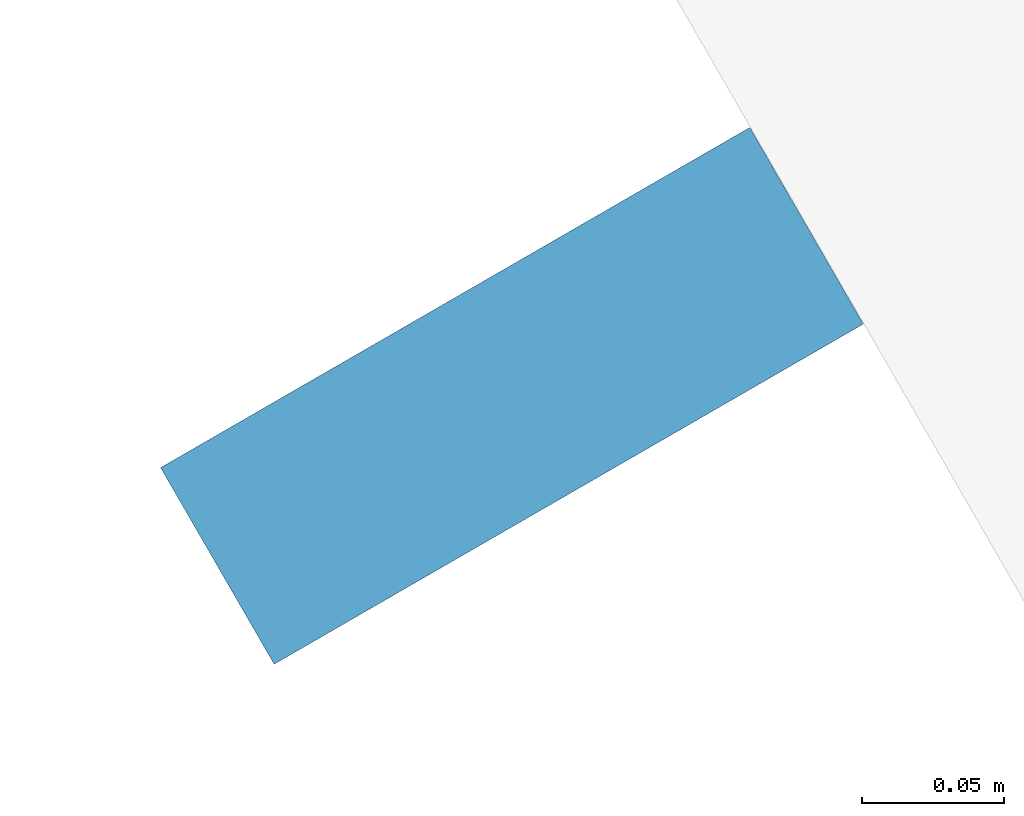
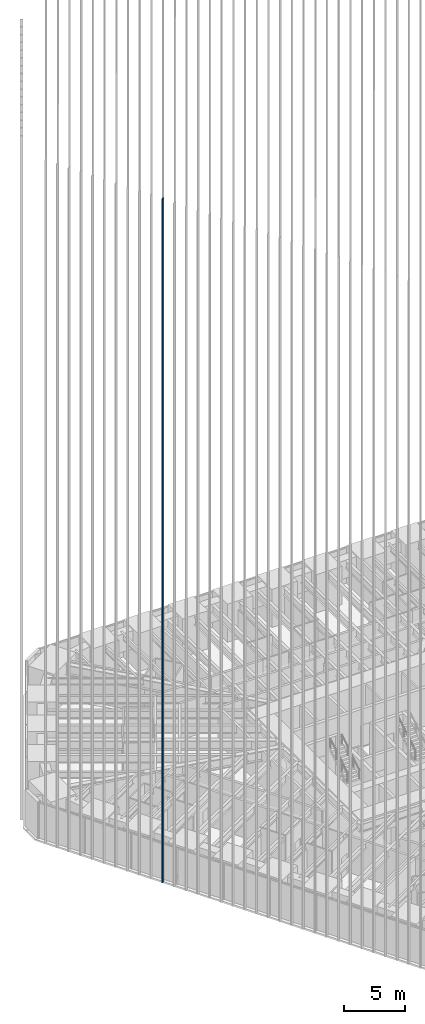
# One storey, part 55 of 256: 1 member, 1 element without a shape of its own.
"""IFC4 building model written with IfcOpenShell, lengths in metres."""

import ifcopenshell
import ifcopenshell.guid

model = None  # the IFC model being written
_history = None  # IfcOwnerHistory: only IFC2X3 demands one
_inside = {}  # id of a spatial element -> (the spatial element, [elements in it])
_under = {}  # id of a project, library or spatial element -> (it, [spatial elements below it])
_declared = {}  # id of a project -> (the project, [libraries it declares])
_typed = {}  # id of a type object -> (the type object, [elements of that type])
_made_of = {}  # id of a material, layer set ... -> (it, [elements and type objects made of it])


def new_model(schema):
    """Start an empty IFC model of exactly this schema.

    Asked for "IFC4X3", IfcOpenShell would pick the latest addendum, in which some entities
    have other attributes; the version numbers below select the first issue.
    IFC2X3 requires an IfcOwnerHistory on every rooted entity: one is made here for all.
    """
    global model, _history
    if schema == "IFC4X3":
        model = ifcopenshell.file(schema_version=(4, 3, 0, 0))
    else:
        model = ifcopenshell.file(schema=schema)
    _inside.clear()
    _under.clear()
    _declared.clear()
    _typed.clear()
    _made_of.clear()
    _history = None
    if model.schema == "IFC2X3":
        org = make("IfcOrganization", Name="unknown")
        user = make(
            "IfcPersonAndOrganization",
            ThePerson=make("IfcPerson", FamilyName="unknown"),
            TheOrganization=org,
        )
        app = make(
            "IfcApplication",
            ApplicationDeveloper=org,
            Version="unknown",
            ApplicationFullName="unknown",
            ApplicationIdentifier="unknown",
        )
        _history = make(
            "IfcOwnerHistory",
            OwningUser=user,
            OwningApplication=app,
            ChangeAction="ADDED",
            CreationDate=0,
        )
    return model


def make(cls, **values):
    """One entity of the class cls with the attributes given. An attribute that is None is left unset."""
    return model.create_entity(
        cls, **{name: value for name, value in values.items() if value is not None}
    )


def rooted(cls, **values):
    """An entity with a GlobalId (a new one), such as an element, a storey or a relation."""
    return make(cls, GlobalId=ifcopenshell.guid.new(), OwnerHistory=_history, **values)


def si_unit(unit_type, name, prefix=None):
    """IfcSIUnit, for example si_unit("LENGTHUNIT", "METRE", prefix="MILLI")."""
    return make("IfcSIUnit", UnitType=unit_type, Prefix=prefix, Name=name)


def assignment(units):
    """IfcUnitAssignment: the units of a project."""
    return None if units is None else make("IfcUnitAssignment", Units=units)


def point(xyz):
    """IfcCartesianPoint."""
    return None if xyz is None else make("IfcCartesianPoint", Coordinates=xyz)


def direction(xyz):
    """IfcDirection."""
    return None if xyz is None else make("IfcDirection", DirectionRatios=xyz)


def frame(location, z_axis=None, x_axis=None):
    """IfcAxis2Placement3D, a coordinate frame: its origin and axes. An axis left out is left unset."""
    return make(
        "IfcAxis2Placement3D",
        Location=point(location),
        Axis=direction(z_axis),
        RefDirection=direction(x_axis),
    )


def frame_2d(location, x_axis=None):
    """IfcAxis2Placement2D, a coordinate frame in the plane: its origin and x axis."""
    return make(
        "IfcAxis2Placement2D", Location=point(location), RefDirection=direction(x_axis)
    )


def origin():
    """The frame at (0, 0, 0) with its axes left unset."""
    return frame((0.0, 0.0, 0.0))


def origin_2d():
    """The frame at (0, 0) in the plane with its x axis left unset."""
    return frame_2d((0.0, 0.0))


def place(relative_to, where):
    """IfcLocalPlacement: puts the frame where relative to a parent placement (None: the world)."""
    return make(
        "IfcLocalPlacement", PlacementRelTo=relative_to, RelativePlacement=where
    )


def context(
    kind, dimensions, precision=None, world=None, true_north=None, identifier=None
):
    """IfcGeometricRepresentationContext, for example the 3D "Model" context."""
    return make(
        "IfcGeometricRepresentationContext",
        ContextIdentifier=identifier,
        ContextType=kind,
        CoordinateSpaceDimension=dimensions,
        Precision=precision,
        WorldCoordinateSystem=world,
        TrueNorth=true_north,
    )


def subcontext(parent, identifier, kind, view, scale=None):
    """IfcGeometricRepresentationSubContext, for example "Body" below "Model"."""
    return make(
        "IfcGeometricRepresentationSubContext",
        ContextIdentifier=identifier,
        ContextType=kind,
        ParentContext=parent,
        TargetScale=scale,
        TargetView=view,
    )


def project(units=None, contexts=None):
    """IfcProject with its units and contexts."""
    return rooted(
        "IfcProject",
        Name="project",
        RepresentationContexts=contexts,
        UnitsInContext=assignment(units),
    )


def spatial(cls, under=None, at=None, **own):
    """A site, building, storey or space (cls), placed at a placement, below another one or the project."""
    s = rooted(cls, ObjectPlacement=at, **own)
    if under is not None:
        _under.setdefault(under.id(), (under, []))[1].append(s)
    return s


def profile(cls, at=None, kind="AREA", **sizes):
    """A parametric profile (cls). Its sizes go by their IFC names, for example OverallWidth=200.0."""
    return make(cls, ProfileType=kind, Position=at, **sizes)


def rectangle(**sizes):
    """IfcRectangleProfileDef."""
    return profile("IfcRectangleProfileDef", **sizes)


def extrude(swept, where, along, depth):
    """IfcExtrudedAreaSolid: the profile swept, set in the frame where, extruded along a direction by depth."""
    return make(
        "IfcExtrudedAreaSolid",
        SweptArea=swept,
        Position=where,
        ExtrudedDirection=direction(along),
        Depth=depth,
    )


def shape(context_of_items, identifier, shape_type, items):
    """IfcShapeRepresentation: the items that make up one representation, for example the "Body"."""
    return make(
        "IfcShapeRepresentation",
        ContextOfItems=context_of_items,
        RepresentationIdentifier=identifier,
        RepresentationType=shape_type,
        Items=items,
    )


def material(Name=None, Category=None):
    """IfcMaterial."""
    return make("IfcMaterial", Name=Name, Category=Category)


def material_profile(
    of_material, cross_section, Name=None, Category=None, Priority=None
):
    """IfcMaterialProfile: a cross section and its material."""
    return make(
        "IfcMaterialProfile",
        Name=Name,
        Material=of_material,
        Profile=cross_section,
        Priority=Priority,
        Category=Category,
    )


def profile_set(profiles, Name=None, composite=None):
    """IfcMaterialProfileSet."""
    return make(
        "IfcMaterialProfileSet",
        Name=Name,
        MaterialProfiles=profiles,
        CompositeProfile=composite,
    )


def made_of(thing, what):
    """Note that an element or type object is made of a material, layer set ...; save() writes the relation."""
    if what is not None:
        _made_of.setdefault(what.id(), (what, []))[1].append(thing)
    return thing


def type_object(cls, material=None, **own):
    """A type object (cls), such as IfcWallType, which elements share."""
    return made_of(rooted(cls, **own), material)


def element(
    cls,
    number,
    at=None,
    inside=None,
    cuts=None,
    type_object=None,
    material=None,
    context=None,
    identifier="Body",
    shape_type=None,
    held_by="IfcProductDefinitionShape",
    body=None,
    shapes=None,
    **own,
):
    """One element of the class cls, such as IfcWall. Its Tag is "e" and its number.

    at: its placement. inside: the storey or other place that contains it. cuts: it is an
    opening in that element (IfcRelVoidsElement). A single representation is given by context,
    identifier, shape_type and body (its items); several are given by shapes. held_by: the class
    of the entity that holds the representations. save() writes the other relations.
    """
    e = rooted(cls, Tag="e%d" % number, ObjectPlacement=at, **own)
    if body is not None:
        shapes = [shape(context, identifier, shape_type, body)]
    if shapes is not None:
        e.Representation = make(held_by, Representations=shapes)
    if inside is not None:
        _inside.setdefault(inside.id(), (inside, []))[1].append(e)
    if cuts is not None:
        rooted(
            "IfcRelVoidsElement", RelatingBuildingElement=cuts, RelatedOpeningElement=e
        )
    if type_object is not None:
        _typed.setdefault(type_object.id(), (type_object, []))[1].append(e)
    return made_of(e, material)


def aggregate(whole, parts):
    """IfcRelAggregates: a whole, such as a stair, and the parts it consists of."""
    return rooted("IfcRelAggregates", RelatingObject=whole, RelatedObjects=parts)


def save(model, path):
    """Write the relations noted so far, then the file.

    IfcRelAggregates (storeys below a building ...), IfcRelContainedInSpatialStructure (elements
    in a storey), IfcRelDefinesByType, IfcRelAssociatesMaterial and IfcRelDeclares: one each for
    every whole, place, type object, material and project.
    """
    for whole, parts in _under.values():
        aggregate(whole, parts)
    for where, things in _inside.values():
        rooted(
            "IfcRelContainedInSpatialStructure",
            RelatedElements=things,
            RelatingStructure=where,
        )
    for kind, things in _typed.values():
        rooted("IfcRelDefinesByType", RelatedObjects=things, RelatingType=kind)
    for what, things in _made_of.values():
        rooted("IfcRelAssociatesMaterial", RelatedObjects=things, RelatingMaterial=what)
    for by, libraries in _declared.values():
        rooted("IfcRelDeclares", RelatingContext=by, RelatedDefinitions=libraries)
    model.write(path)


model = new_model("IFC4")

# Units and contexts
model_context = context("Model", 3, precision=1e-05, world=origin(), true_north=direction((0.0, 1.0)))
body_context = subcontext(model_context, "Body", "Model", "MODEL_VIEW")
ifc_project = project(units=[si_unit("LENGTHUNIT", "METRE"), si_unit("AREAUNIT", "SQUARE_METRE"), si_unit("VOLUMEUNIT", "CUBIC_METRE"), si_unit("PLANEANGLEUNIT", "RADIAN"), si_unit("MASSUNIT", "GRAM", prefix="KILO")], contexts=[model_context])

# Site, building, storey
site_placement = place(None, origin())
site = spatial("IfcSite", under=ifc_project, at=site_placement, CompositionType="ELEMENT")
building_placement = place(site_placement, origin())
building = spatial("IfcBuilding", under=site, at=building_placement, Name="Sandreach Pilgrim Tower", CompositionType="ELEMENT")
storey_placement = place(building_placement, frame((0.0, 0.0, 23.0)))
storey = spatial("IfcBuildingStorey", under=building, at=storey_placement, Name="L04", CompositionType="ELEMENT", Elevation=23.0)

# Curtain wall, member
ifc_material_1 = material(Name="Aluminium framed curtain wall", Category="aluminium")
curtain_wall_type = type_object("IfcCurtainWallType", Name="Hostel tower curtain wall", PredefinedType="NOTDEFINED", material=ifc_material_1)
curtain_wall_placement = place(storey_placement, origin())
curtain_wall = element("IfcCurtainWall", 1, at=curtain_wall_placement, inside=storey, type_object=curtain_wall_type, Name="CW-1 L04 SW", PredefinedType="NOTDEFINED")
ifc_material_2 = material(Name="Extruded terracotta on aluminium core", Category="masonry")
ifc_material_profile = material_profile(ifc_material_2, rectangle(XDim=0.080078125, YDim=0.239990234375, at=origin_2d()), Name="TBW 80X240")
ifc_profile_set = profile_set([ifc_material_profile], Name="Extruded terracotta on aluminium core")
member_type = type_object("IfcMemberType", Name="Terracotta baguette west", PredefinedType="USERDEFINED", material=ifc_profile_set)
member_placement = place(storey_placement, frame((-24.976318359375, -5.477294921875, 0.0), z_axis=(0.0, 0.0, 1.0), x_axis=(-0.5, 0.866025403784, 0.0)))
member = element("IfcMember", 2, at=member_placement, type_object=member_type, Name="Baguette Z1 SW25", ObjectType="BAGUETTE", PredefinedType="USERDEFINED", context=body_context, shape_type="SweptSolid", body=[
    extrude(rectangle(XDim=0.080078125, YDim=0.239990234375, at=origin_2d()), origin(), (0.0, 0.0, 1.0), 68.239990234375),
])
aggregate(curtain_wall, [member])

save(model, "model.ifc")
